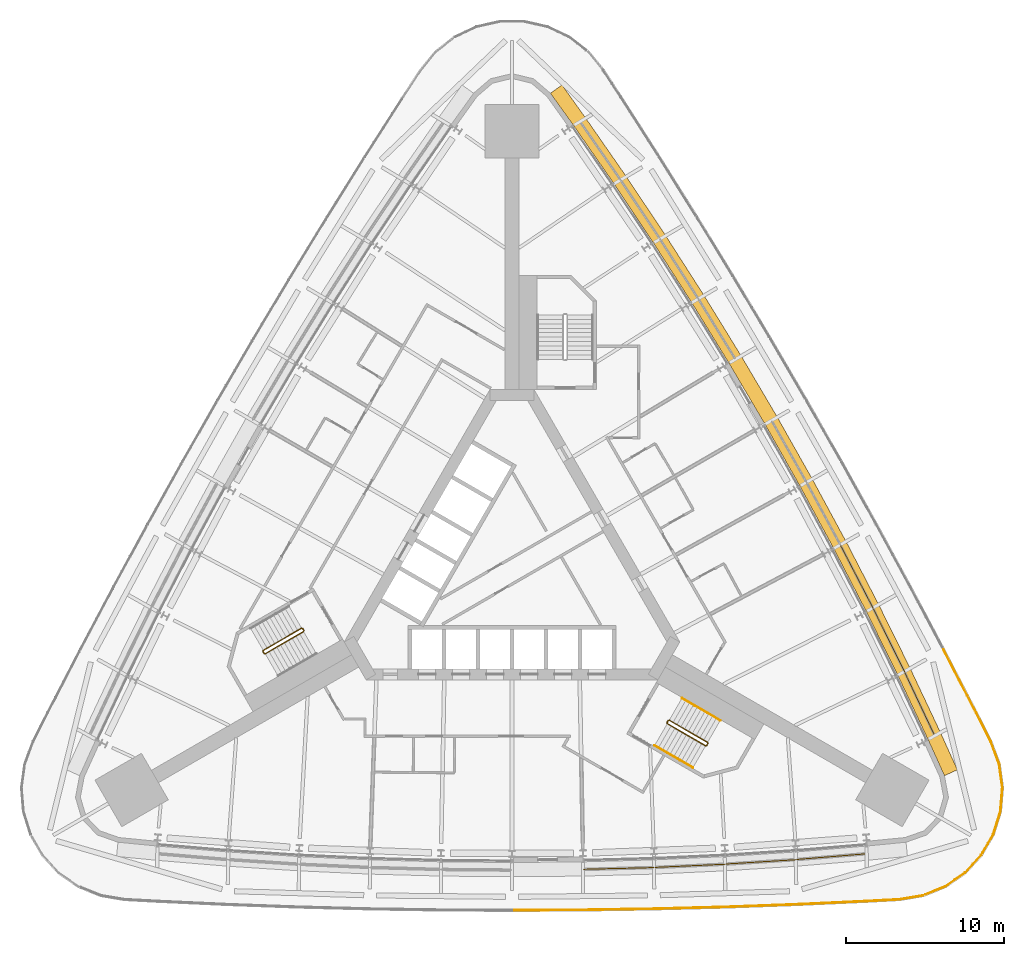
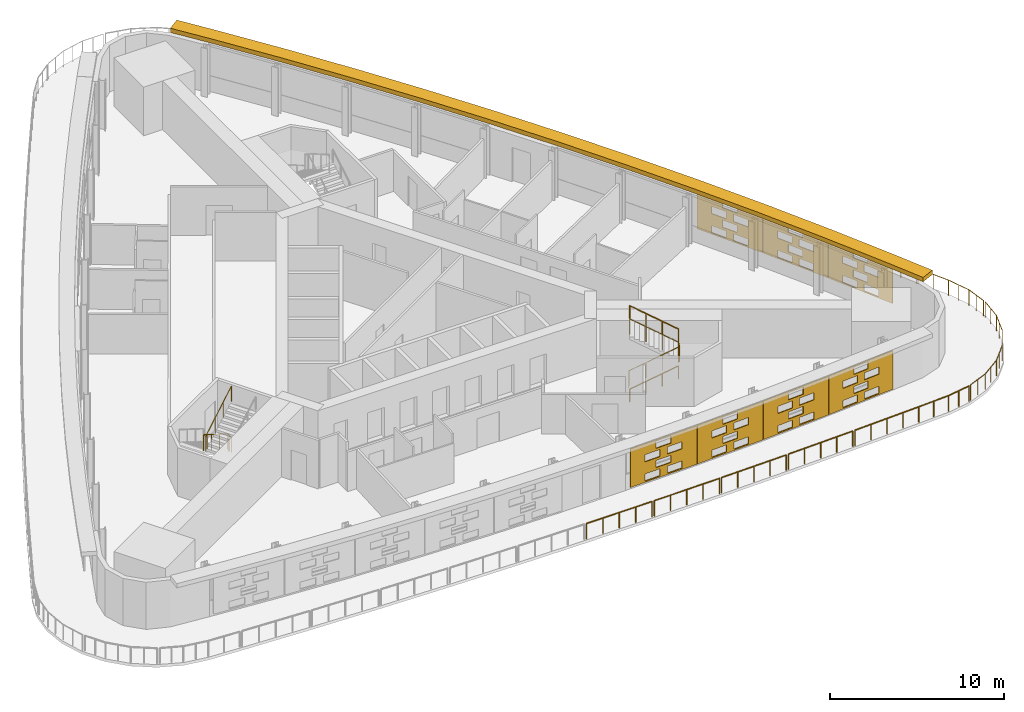
# One storey, part 12 of 14: 13 railings, 8 shading devices.
"""IFC4 building model written with IfcOpenShell, lengths in metres."""

from ifc_helpers import new_model, si_unit, direction, frame, origin, origin_2d, place, context, subcontext, project, spatial, polyline, circle, outline, extrude, material, material_profile, profile_set, type_object, element, save


model = new_model("IFC4")

# Units and contexts
model_context = context("Model", 3, precision=1e-05, world=origin(), true_north=direction((0.0, 1.0)))
body_context = subcontext(model_context, "Body", "Model", "MODEL_VIEW")
ifc_project = project(units=[si_unit("LENGTHUNIT", "METRE"), si_unit("AREAUNIT", "SQUARE_METRE"), si_unit("VOLUMEUNIT", "CUBIC_METRE"), si_unit("PLANEANGLEUNIT", "RADIAN"), si_unit("MASSUNIT", "GRAM", prefix="KILO")], contexts=[model_context])

# Site, building, storey
site_placement = place(None, origin())
site = spatial("IfcSite", under=ifc_project, at=site_placement, CompositionType="ELEMENT")
building_placement = place(site_placement, origin())
building = spatial("IfcBuilding", under=site, at=building_placement, Name="Noor Cloister Tower", CompositionType="ELEMENT")
storey_placement = place(building_placement, frame((0.0, 0.0, 24.0)))
storey = spatial("IfcBuildingStorey", under=building, at=storey_placement, Name="L05", CompositionType="ELEMENT", Elevation=24.0)

# Shading devices
ifc_material_1 = material(Name="Limestone", Category="masonry")
ifc_material_profile = material_profile(ifc_material_1, outline(polyline([(-2.22998046875, -1.35009765625), (2.22998046875, -1.35009765625), (2.22998046875, 1.35009765625), (-2.22998046875, 1.35009765625), (-2.22998046875, -1.35009765625)]), holes=[polyline([(-1.25, -1.263427734375), (-0.25, -1.263427734375), (-0.25, -0.76171875), (-1.25, -0.76171875), (-1.25, -1.263427734375)]), polyline([(0.25, -1.263427734375), (1.25, -1.263427734375), (1.25, -0.76171875), (0.25, -0.76171875), (0.25, -1.263427734375)]), polyline([(-0.5, -0.58837890625), (0.5, -0.58837890625), (0.5, -0.086669921875), (-0.5, -0.086669921875), (-0.5, -0.58837890625)]), polyline([(-1.25, 0.086669921875), (-0.25, 0.086669921875), (-0.25, 0.58837890625), (-1.25, 0.58837890625), (-1.25, 0.086669921875)]), polyline([(0.25, 0.086669921875), (1.25, 0.086669921875), (1.25, 0.58837890625), (0.25, 0.58837890625), (0.25, 0.086669921875)]), polyline([(-0.5, 0.76171875), (0.5, 0.76171875), (0.5, 1.263427734375), (-0.5, 1.263427734375), (-0.5, 0.76171875)])]), Name="Woven screen 25 percent open")
ifc_profile_set = profile_set([ifc_material_profile], Name="Limestone")
shading_device_type_1 = type_object("IfcShadingDeviceType", Name="SCREEN woven limestone 25 percent open", PredefinedType="USERDEFINED", material=ifc_profile_set)
for number, where, z_axis, x_axis, name in (
    (1, (6.761474609375, -18.82861328125, 1.85009765625), (0.024382992455, -0.999702690643, 0.0), (0.999702690643, 0.024382992455, 0.0), "SCREEN L05 1"),
    (2, (11.266357421875, -18.661376953125, 1.85009765625), (0.044670810456, -0.999001761106, 0.0), (0.999001761106, 0.044670810456, 0.0), "SCREEN L05 2"),
):
    element("IfcShadingDevice", number, at=place(storey_placement, frame(where, z_axis=z_axis, x_axis=x_axis)), inside=storey, type_object=shading_device_type_1, Name=name, ObjectType="SCREEN", PredefinedType="USERDEFINED", context=body_context, shape_type="SweptSolid", body=[
        extrude(outline(polyline([(-2.22998046875, -1.35009765625), (2.22998046875, -1.35009765625), (2.22998046875, 1.35009765625), (-2.22998046875, 1.35009765625), (-2.22998046875, -1.35009765625)]), holes=[polyline([(-1.25, -1.263427734375), (-0.25, -1.263427734375), (-0.25, -0.76171875), (-1.25, -0.76171875), (-1.25, -1.263427734375)]), polyline([(0.25, -1.263427734375), (1.25, -1.263427734375), (1.25, -0.76171875), (0.25, -0.76171875), (0.25, -1.263427734375)]), polyline([(-0.5, -0.58837890625), (0.5, -0.58837890625), (0.5, -0.086669921875), (-0.5, -0.086669921875), (-0.5, -0.58837890625)]), polyline([(-1.25, 0.086669921875), (-0.25, 0.086669921875), (-0.25, 0.58837890625), (-1.25, 0.58837890625), (-1.25, 0.086669921875)]), polyline([(0.25, 0.086669921875), (1.25, 0.086669921875), (1.25, 0.58837890625), (0.25, 0.58837890625), (0.25, 0.086669921875)]), polyline([(-0.5, 0.76171875), (0.5, 0.76171875), (0.5, 1.263427734375), (-0.5, 1.263427734375), (-0.5, 0.76171875)])]), origin(), (0.0, 0.0, 1.0), 0.06005859375),
    ])
shading_device_1_placement = place(storey_placement, frame((15.767578125, -18.41064453125, 1.85009765625), z_axis=(0.06111006328, -0.998131033565, 0.0), x_axis=(0.998131033565, 0.06111006328, 0.0)))
element("IfcShadingDevice", 3, at=shading_device_1_placement, inside=storey, type_object=shading_device_type_1, Name="SCREEN L05 3", ObjectType="SCREEN", PredefinedType="USERDEFINED", context=body_context, shape_type="SweptSolid", body=[
    extrude(outline(polyline([(-2.22998046875, -1.35009765625), (2.22998046875, -1.35009765625), (2.22998046875, 1.35009765625), (-2.22998046875, 1.35009765625), (-2.22998046875, -1.35009765625)]), holes=[polyline([(-1.25, -1.263427734375), (-0.25, -1.263427734375), (-0.25, -0.76171875), (-1.25, -0.76171875), (-1.25, -1.263427734375)]), polyline([(0.25, -1.263427734375), (1.25, -1.263427734375), (1.25, -0.76171875), (0.25, -0.76171875), (0.25, -1.263427734375)]), polyline([(-0.5, -0.58837890625), (0.5, -0.58837890625), (0.5, -0.086669921875), (-0.5, -0.086669921875), (-0.5, -0.58837890625)]), polyline([(-1.25, 0.086669921875), (-0.25, 0.086669921875), (-0.25, 0.58837890625), (-1.25, 0.58837890625), (-1.25, 0.086669921875)]), polyline([(0.25, 0.086669921875), (1.25, 0.086669921875), (1.25, 0.58837890625), (0.25, 0.58837890625), (0.25, 0.086669921875)]), polyline([(-0.5, 0.76171875), (0.5, 0.76171875), (0.5, 1.263427734375), (-0.5, 1.263427734375), (-0.5, 0.76171875)])]), origin(), (0.0, 0.0, 1.0), 0.059814453125),
])
for number, where, z_axis, x_axis, name in (
    (4, (20.26318359375, -18.076416015625, 1.85009765625), (0.081362009455, -0.996684615823, 0.0), (0.996684615823, 0.081362009455, 0.0), "SCREEN L05 4"),
    (5, (25.7861328125, -8.51025390625, 1.85009765625), (0.90398642908, 0.427561148889, 0.0), (-0.427561148889, 0.90398642908, 0.0), "SCREEN L05 1"),
    (6, (23.827880859375, -4.44970703125, 1.85009765625), (0.896050438544, 0.443952262733, 0.0), (-0.443952262733, 0.896050438544, 0.0), "SCREEN L05 2"),
    (7, (21.79443359375, -0.42626953125, 1.85009765625), (0.887816162103, 0.460198285861, 0.0), (-0.460198285861, 0.887816162103, 0.0), "SCREEN L05 3"),
):
    element("IfcShadingDevice", number, at=place(storey_placement, frame(where, z_axis=z_axis, x_axis=x_axis)), inside=storey, type_object=shading_device_type_1, Name=name, ObjectType="SCREEN", PredefinedType="USERDEFINED", context=body_context, shape_type="SweptSolid", body=[
        extrude(outline(polyline([(-2.22998046875, -1.35009765625), (2.22998046875, -1.35009765625), (2.22998046875, 1.35009765625), (-2.22998046875, 1.35009765625), (-2.22998046875, -1.35009765625)]), holes=[polyline([(-1.25, -1.263427734375), (-0.25, -1.263427734375), (-0.25, -0.76171875), (-1.25, -0.76171875), (-1.25, -1.263427734375)]), polyline([(0.25, -1.263427734375), (1.25, -1.263427734375), (1.25, -0.76171875), (0.25, -0.76171875), (0.25, -1.263427734375)]), polyline([(-0.5, -0.58837890625), (0.5, -0.58837890625), (0.5, -0.086669921875), (-0.5, -0.086669921875), (-0.5, -0.58837890625)]), polyline([(-1.25, 0.086669921875), (-0.25, 0.086669921875), (-0.25, 0.58837890625), (-1.25, 0.58837890625), (-1.25, 0.086669921875)]), polyline([(0.25, 0.086669921875), (1.25, 0.086669921875), (1.25, 0.58837890625), (0.25, 0.58837890625), (0.25, 0.086669921875)]), polyline([(-0.5, 0.76171875), (0.5, 0.76171875), (0.5, 1.263427734375), (-0.5, 1.263427734375), (-0.5, 0.76171875)])]), origin(), (0.0, 0.0, 1.0), 0.06005859375),
    ])
ifc_material_2 = material(Name="Limestone", Category="masonry")
shading_device_type_2 = type_object("IfcShadingDeviceType", Name="SUNSHADE limestone band 900", PredefinedType="USERDEFINED", material=ifc_material_2)
shading_device_2_placement = place(storey_placement, frame((0.0, 0.0, 3.300048828125)))
element("IfcShadingDevice", 8, at=shading_device_2_placement, inside=storey, type_object=shading_device_type_2, Name="SUNSHADE L05 3", ObjectType="SUNSHADE", PredefinedType="USERDEFINED", context=body_context, shape_type="SweptSolid", body=[
    extrude(outline(polyline([(28.178466796875, -12.617919921875), (27.154541015625, -10.35986328125), (25.231201171875, -6.275390625), (23.2314453125, -2.2255859375), (21.156982421875, 1.786376953125), (19.00830078125, 5.75927734375), (16.786376953125, 9.691650390625), (14.491943359375, 13.58203125), (12.12548828125, 17.42919921875), (9.688232421875, 21.231689453125), (7.180908203125, 24.988525390625), (4.605224609375, 28.696533203125), (3.161865234375, 30.712158203125), (2.43017578125, 30.188232421875), (3.869873046875, 28.177734375), (6.43701171875, 24.48193359375), (8.93505859375, 20.739013671875), (11.36328125, 16.950439453125), (13.720947265625, 13.11767578125), (16.0068359375, 9.24169921875), (18.220703125, 5.32373046875), (20.361328125, 1.36572265625), (22.42822265625, -2.631591796875), (24.42041015625, -6.66650390625), (26.337646484375, -10.737548828125), (27.35888671875, -12.989501953125), (28.178466796875, -12.617919921875)])), origin(), (0.0, 0.0, 1.0), 0.300048828125),
])

# Railings
ifc_material_3 = material(Name="Stainless steel", Category="steel")
railing_type_1 = type_object("IfcRailingType", Name="Stair guard 1100", PredefinedType="GUARDRAIL", material=ifc_material_3)
railing_1_placement = place(storey_placement, frame((-13.241455078125, -3.677734375, 0.0)))
element("IfcRailing", 9, at=railing_1_placement, inside=storey, type_object=railing_type_1, Name="Stair guard ST2 L05", PredefinedType="GUARDRAIL", context=body_context, shape_type="SweptSolid", body=[
    extrude(circle(Radius=0.02392578125, at=origin_2d()), frame((0.0, 0.0, 1.076171875), z_axis=(0.499112439033, -0.866537231285, 0.0), x_axis=(0.866537231285, 0.499112439033, 0.0)), (0.0, 0.0, 1.0), 0.150146484375),
    extrude(circle(Radius=0.02392578125, at=origin_2d()), frame((0.074951171875, -0.130126953125, 1.076171875), z_axis=(-0.544565797804, 0.563119998752, 0.621565731736), x_axis=(-0.718850276695, -0.695164929852, 0.0)), (0.0, 0.0, 1.0), 0.26318359375),
    extrude(circle(Radius=0.02392578125, at=origin_2d()), frame((-0.068359375, 0.01806640625, 1.23974609375), z_axis=(-0.747689811644, -0.431660630283, 0.504607813879), x_axis=(0.49998411664, -0.866034573852, 0.0)), (0.0, 0.0, 1.0), 3.2431640625),
    extrude(circle(Radius=0.02392578125, at=origin_2d()), frame((-2.4931640625, -1.3818359375, 2.8759765625), z_axis=(-0.258736085224, -0.965948051503, 0.0), x_axis=(0.965948051503, -0.258736085224, 0.0)), (0.0, 0.0, 1.0), 0.07080078125),
    extrude(circle(Radius=0.02392578125, at=origin_2d()), frame((-2.511474609375, -1.4501953125, 2.8759765625), z_axis=(0.499816412211, -0.866131372301, 0.0), x_axis=(0.866131372301, 0.499816412211, 0.0)), (0.0, 0.0, 1.0), 0.14990234375),
    extrude(circle(Radius=0.02392578125, at=origin_2d()), frame((-2.4365234375, -1.580078125, 2.8759765625), z_axis=(0.383552647116, -0.102737316192, 0.917786691313), x_axis=(0.258736085224, 0.965948051503, 0.0)), (0.0, 0.0, 1.0), 0.17822265625),
    extrude(circle(Radius=0.02392578125, at=origin_2d()), frame((-2.3681640625, -1.598388671875, 3.03955078125), z_axis=(0.747665513933, 0.431721881032, 0.504591415616), x_axis=(-0.500049511043, 0.865996816683, 0.0)), (0.0, 0.0, 1.0), 3.2431640625),
    extrude(circle(Radius=0.02099609375, at=origin_2d()), origin(), (0.0, 0.0, 1.0), 1.052001953125),
    extrude(circle(Radius=0.02099609375, at=origin_2d()), frame((0.074951171875, -0.130126953125, 0.0)), (0.0, 0.0, 1.0), 1.052001953125),
    extrude(circle(Radius=0.02099609375, at=origin_2d()), frame((-0.068359375, 0.01806640625, 0.16357421875)), (0.0, 0.0, 1.0), 1.052001953125),
    extrude(circle(Radius=0.02099609375, at=origin_2d()), frame((-0.876708984375, -0.448486328125, 0.708984375)), (0.0, 0.0, 1.0), 1.052001953125),
    extrude(circle(Radius=0.02099609375, at=origin_2d()), frame((-1.684814453125, -0.915283203125, 1.254638671875)), (0.0, 0.0, 1.0), 1.052001953125),
    extrude(circle(Radius=0.02099609375, at=origin_2d()), frame((-2.4931640625, -1.3818359375, 1.800048828125)), (0.0, 0.0, 1.0), 1.052001953125),
    extrude(circle(Radius=0.02099609375, at=origin_2d()), frame((-2.511474609375, -1.4501953125, 1.800048828125)), (0.0, 0.0, 1.0), 1.052001953125),
    extrude(circle(Radius=0.02099609375, at=origin_2d()), frame((-2.4365234375, -1.580078125, 1.800048828125)), (0.0, 0.0, 1.0), 1.052001953125),
    extrude(circle(Radius=0.02099609375, at=origin_2d()), frame((-2.3681640625, -1.598388671875, 1.963623046875)), (0.0, 0.0, 1.0), 1.052001953125),
    extrude(circle(Radius=0.02099609375, at=origin_2d()), frame((-1.559814453125, -1.131591796875, 2.509033203125)), (0.0, 0.0, 1.0), 1.052001953125),
    extrude(circle(Radius=0.02099609375, at=origin_2d()), frame((-0.751708984375, -0.6650390625, 3.0546875)), (0.0, 0.0, 1.0), 1.052001953125),
    extrude(circle(Radius=0.02099609375, at=origin_2d()), frame((0.056640625, -0.1982421875, 3.60009765625)), (0.0, 0.0, 1.0), 1.052001953125),
])
railing_2_placement = place(storey_placement, frame((9.805908203125, -9.628662109375, 0.0)))
element("IfcRailing", 10, at=railing_2_placement, inside=storey, type_object=railing_type_1, Name="Stair guard ST3 L05", PredefinedType="GUARDRAIL", context=body_context, shape_type="SweptSolid", body=[
    extrude(circle(Radius=0.02392578125, at=origin_2d()), frame((0.0, 0.0, 1.076171875), z_axis=(0.499112439033, 0.866537231285, 0.0), x_axis=(-0.866537231285, 0.499112439033, 0.0)), (0.0, 0.0, 1.0), 0.150146484375),
    extrude(circle(Radius=0.02392578125, at=origin_2d()), frame((0.074951171875, 0.130126953125, 1.076171875), z_axis=(-0.215214839654, -0.753251938789, 0.621525614518), x_axis=(0.961523947641, -0.274721127897, 0.0)), (0.0, 0.0, 1.0), 0.26318359375),
    extrude(circle(Radius=0.02392578125, at=origin_2d()), frame((0.018310546875, -0.068115234375, 1.23974609375), z_axis=(0.747665513933, -0.431721881032, 0.504591415616), x_axis=(0.500049511043, 0.865996816683, 0.0)), (0.0, 0.0, 1.0), 3.2431640625),
    extrude(circle(Radius=0.02392578125, at=origin_2d()), frame((2.443115234375, -1.46826171875, 2.8759765625), z_axis=(0.965948051503, 0.258736085224, 0.0), x_axis=(-0.258736085224, 0.965948051503, 0.0)), (0.0, 0.0, 1.0), 0.07080078125),
    extrude(circle(Radius=0.02392578125, at=origin_2d()), frame((2.511474609375, -1.449951171875, 2.8759765625), z_axis=(0.499816412211, 0.866131372301, 0.0), x_axis=(-0.866131372301, 0.499816412211, 0.0)), (0.0, 0.0, 1.0), 0.14990234375),
    extrude(circle(Radius=0.02392578125, at=origin_2d()), frame((2.58642578125, -1.320068359375, 2.8759765625), z_axis=(-0.102737316192, 0.383552647116, 0.917786691313), x_axis=(-0.965948051503, -0.258736085224, 0.0)), (0.0, 0.0, 1.0), 0.17822265625),
    extrude(circle(Radius=0.02392578125, at=origin_2d()), frame((2.568115234375, -1.251708984375, 3.03955078125), z_axis=(-0.747689811644, 0.431660630283, 0.504607813879), x_axis=(-0.49998411664, -0.866034573852, 0.0)), (0.0, 0.0, 1.0), 3.2431640625),
    extrude(circle(Radius=0.02099609375, at=origin_2d()), origin(), (0.0, 0.0, 1.0), 1.052001953125),
    extrude(circle(Radius=0.02099609375, at=origin_2d()), frame((0.074951171875, 0.130126953125, 0.0)), (0.0, 0.0, 1.0), 1.052001953125),
    extrude(circle(Radius=0.02099609375, at=origin_2d()), frame((0.018310546875, -0.068115234375, 0.16357421875)), (0.0, 0.0, 1.0), 1.052001953125),
    extrude(circle(Radius=0.02099609375, at=origin_2d()), frame((0.82666015625, -0.534912109375, 0.708984375)), (0.0, 0.0, 1.0), 1.052001953125),
    extrude(circle(Radius=0.02099609375, at=origin_2d()), frame((1.634765625, -1.00146484375, 1.254638671875)), (0.0, 0.0, 1.0), 1.052001953125),
    extrude(circle(Radius=0.02099609375, at=origin_2d()), frame((2.443115234375, -1.46826171875, 1.800048828125)), (0.0, 0.0, 1.0), 1.052001953125),
    extrude(circle(Radius=0.02099609375, at=origin_2d()), frame((2.511474609375, -1.449951171875, 1.800048828125)), (0.0, 0.0, 1.0), 1.052001953125),
    extrude(circle(Radius=0.02099609375, at=origin_2d()), frame((2.58642578125, -1.320068359375, 1.800048828125)), (0.0, 0.0, 1.0), 1.052001953125),
    extrude(circle(Radius=0.02099609375, at=origin_2d()), frame((2.568115234375, -1.251708984375, 1.963623046875)), (0.0, 0.0, 1.0), 1.052001953125),
    extrude(circle(Radius=0.02099609375, at=origin_2d()), frame((1.759765625, -0.78515625, 2.509033203125)), (0.0, 0.0, 1.0), 1.052001953125),
    extrude(circle(Radius=0.02099609375, at=origin_2d()), frame((0.95166015625, -0.318359375, 3.0546875)), (0.0, 0.0, 1.0), 1.052001953125),
    extrude(circle(Radius=0.02099609375, at=origin_2d()), frame((0.143310546875, 0.148193359375, 3.60009765625)), (0.0, 0.0, 1.0), 1.052001953125),
])
ifc_material_4 = material(Name="Stainless steel", Category="steel")
railing_type_2 = type_object("IfcRailingType", Name="Stair handrail 900", PredefinedType="HANDRAIL", material=ifc_material_4)
railing_3_placement = place(storey_placement, frame((9.024169921875, -11.08251953125, 0.16357421875)))
element("IfcRailing", 11, at=railing_3_placement, inside=storey, type_object=railing_type_2, Name="Stair handrail ST3 L05 1", PredefinedType="HANDRAIL", context=body_context, shape_type="SweptSolid", body=[
    extrude(circle(Radius=0.02392578125, at=origin_2d()), frame((0.0, 0.0, 0.8759765625), z_axis=(0.747689811644, -0.431660630283, 0.504607813879), x_axis=(0.49998411664, 0.866034573852, 0.0)), (0.0, 0.0, 1.0), 3.2431640625),
    extrude(circle(Radius=0.02099609375, at=origin_2d()), origin(), (0.0, 0.0, 1.0), 0.851806640625),
    extrude(circle(Radius=0.02099609375, at=origin_2d()), frame((0.808349609375, -0.466552734375, 0.54541015625)), (0.0, 0.0, 1.0), 0.851806640625),
    extrude(circle(Radius=0.02099609375, at=origin_2d()), frame((1.616455078125, -0.933349609375, 1.091064453125)), (0.0, 0.0, 1.0), 0.851806640625),
    extrude(circle(Radius=0.02099609375, at=origin_2d()), frame((2.4248046875, -1.39990234375, 1.636474609375)), (0.0, 0.0, 1.0), 0.851806640625),
])
railing_4_placement = place(storey_placement, frame((13.174072265625, -9.49462890625, 1.963623046875)))
element("IfcRailing", 12, at=railing_4_placement, inside=storey, type_object=railing_type_2, Name="Stair handrail ST3 L05 2", PredefinedType="HANDRAIL", context=body_context, shape_type="SweptSolid", body=[
    extrude(circle(Radius=0.02392578125, at=origin_2d()), frame((0.0, 0.0, 0.8759765625), z_axis=(-0.747689811644, 0.431660630283, 0.504607813879), x_axis=(-0.49998411664, -0.866034573852, 0.0)), (0.0, 0.0, 1.0), 3.2431640625),
    extrude(circle(Radius=0.02099609375, at=origin_2d()), origin(), (0.0, 0.0, 1.0), 0.851806640625),
    extrude(circle(Radius=0.02099609375, at=origin_2d()), frame((-0.808349609375, 0.466552734375, 0.54541015625)), (0.0, 0.0, 1.0), 0.851806640625),
    extrude(circle(Radius=0.02099609375, at=origin_2d()), frame((-1.616455078125, 0.933349609375, 1.091064453125)), (0.0, 0.0, 1.0), 0.851806640625),
    extrude(circle(Radius=0.02099609375, at=origin_2d()), frame((-2.4248046875, 1.39990234375, 1.636474609375)), (0.0, 0.0, 1.0), 0.851806640625),
])
ifc_material_5 = material(Name="Stainless steel grade 316", Category="steel")
railing_type_3 = type_object("IfcRailingType", Name="Terrace guard 1100", PredefinedType="GUARDRAIL", material=ifc_material_5)
railing_5_placement = place(storey_placement, frame((27.30126953125, -5.01171875, 0.0)))
element("IfcRailing", 13, at=railing_5_placement, inside=storey, type_object=railing_type_3, Name="Podium terrace guard 10", PredefinedType="GUARDRAIL", context=body_context, shape_type="SweptSolid", body=[
    extrude(circle(Radius=0.02392578125, at=origin_2d()), frame((0.0, 0.0, 1.076171875), z_axis=(0.459432082061, -0.888212903516, 0.0), x_axis=(0.888212903516, 0.459432082061, 0.0)), (0.0, 0.0, 1.0), 4.348876953125),
    extrude(circle(Radius=0.02099609375, at=origin_2d()), origin(), (0.0, 0.0, 1.0), 1.052001953125),
    extrude(circle(Radius=0.02099609375, at=origin_2d()), frame((0.49951171875, -0.9658203125, 0.0)), (0.0, 0.0, 1.0), 1.052001953125),
    extrude(circle(Radius=0.02099609375, at=origin_2d()), frame((0.9990234375, -1.931396484375, 0.0)), (0.0, 0.0, 1.0), 1.052001953125),
    extrude(circle(Radius=0.02099609375, at=origin_2d()), frame((1.49853515625, -2.89697265625, 0.0)), (0.0, 0.0, 1.0), 1.052001953125),
    extrude(circle(Radius=0.02099609375, at=origin_2d()), frame((1.998046875, -3.86279296875, 0.0)), (0.0, 0.0, 1.0), 1.052001953125),
])
railing_6_placement = place(storey_placement, frame((29.368408203125, -9.0078125, 0.0)))
element("IfcRailing", 14, at=railing_6_placement, inside=storey, type_object=railing_type_3, Name="Podium terrace guard 11", PredefinedType="GUARDRAIL", context=body_context, shape_type="SweptSolid", body=[
    extrude(circle(Radius=0.02392578125, at=origin_2d()), frame((0.0, 0.0, 1.076171875), z_axis=(0.452836606965, -0.891593521394, 0.0), x_axis=(0.891593521394, 0.452836606965, 0.0)), (0.0, 0.0, 1.0), 2.02880859375),
    extrude(circle(Radius=0.02392578125, at=origin_2d()), frame((0.918701171875, -1.808837890625, 1.076171875), z_axis=(0.349857408389, -0.936802964233, 0.0), x_axis=(0.936802964233, 0.349857408389, 0.0)), (0.0, 0.0, 1.0), 1.52197265625),
    extrude(circle(Radius=0.02392578125, at=origin_2d()), frame((1.451171875, -3.234619140625, 1.076171875), z_axis=(0.136842931044, -0.990592758011, 0.0), x_axis=(0.990592758011, 0.136842931044, 0.0)), (0.0, 0.0, 1.0), 1.36669921875),
    extrude(circle(Radius=0.02099609375, at=origin_2d()), origin(), (0.0, 0.0, 1.0), 1.052001953125),
    extrude(circle(Radius=0.02099609375, at=origin_2d()), frame((0.45947265625, -0.904296875, 0.0)), (0.0, 0.0, 1.0), 1.052001953125),
    extrude(circle(Radius=0.02099609375, at=origin_2d()), frame((0.918701171875, -1.808837890625, 0.0)), (0.0, 0.0, 1.0), 1.052001953125),
    extrude(circle(Radius=0.02099609375, at=origin_2d()), frame((1.18505859375, -2.521728515625, 0.0)), (0.0, 0.0, 1.0), 1.052001953125),
    extrude(circle(Radius=0.02099609375, at=origin_2d()), frame((1.451171875, -3.234619140625, 0.0)), (0.0, 0.0, 1.0), 1.052001953125),
    extrude(circle(Radius=0.02099609375, at=origin_2d()), frame((1.544677734375, -3.91162109375, 0.0)), (0.0, 0.0, 1.0), 1.052001953125),
    extrude(circle(Radius=0.02099609375, at=origin_2d()), frame((1.63818359375, -4.58837890625, 0.0)), (0.0, 0.0, 1.0), 1.052001953125),
])
railing_7_placement = place(storey_placement, frame((31.027099609375, -13.744873046875, 0.0)))
element("IfcRailing", 15, at=railing_7_placement, inside=storey, type_object=railing_type_3, Name="Podium terrace guard 12", PredefinedType="GUARDRAIL", context=body_context, shape_type="SweptSolid", body=[
    extrude(circle(Radius=0.02392578125, at=origin_2d()), frame((0.0, 0.0, 1.076171875), z_axis=(-0.083072126858, -0.996543537302, 0.0), x_axis=(0.996543537302, -0.083072126858, 0.0)), (0.0, 0.0, 1.0), 1.516357421875),
    extrude(circle(Radius=0.02392578125, at=origin_2d()), frame((-0.1259765625, -1.51123046875, 1.076171875), z_axis=(-0.298595766746, -0.95437967711, 0.0), x_axis=(0.95437967711, -0.298595766746, 0.0)), (0.0, 0.0, 1.0), 1.5166015625),
    extrude(circle(Radius=0.02392578125, at=origin_2d()), frame((-0.578857421875, -2.958740234375, 1.076171875), z_axis=(-0.500000789788, -0.8660249478, 0.0), x_axis=(0.8660249478, -0.500000789788, 0.0)), (0.0, 0.0, 1.0), 1.36669921875),
    extrude(circle(Radius=0.02099609375, at=origin_2d()), origin(), (0.0, 0.0, 1.0), 1.052001953125),
    extrude(circle(Radius=0.02099609375, at=origin_2d()), frame((-0.06298828125, -0.755615234375, 0.0)), (0.0, 0.0, 1.0), 1.052001953125),
    extrude(circle(Radius=0.02099609375, at=origin_2d()), frame((-0.1259765625, -1.51123046875, 0.0)), (0.0, 0.0, 1.0), 1.052001953125),
    extrude(circle(Radius=0.02099609375, at=origin_2d()), frame((-0.3525390625, -2.23486328125, 0.0)), (0.0, 0.0, 1.0), 1.052001953125),
    extrude(circle(Radius=0.02099609375, at=origin_2d()), frame((-0.578857421875, -2.958740234375, 0.0)), (0.0, 0.0, 1.0), 1.052001953125),
    extrude(circle(Radius=0.02099609375, at=origin_2d()), frame((-0.92041015625, -3.550537109375, 0.0)), (0.0, 0.0, 1.0), 1.052001953125),
    extrude(circle(Radius=0.02099609375, at=origin_2d()), frame((-1.26220703125, -4.142333984375, 0.0)), (0.0, 0.0, 1.0), 1.052001953125),
])
railing_8_placement = place(storey_placement, frame((29.68994140625, -18.01708984375, 0.0)))
element("IfcRailing", 16, at=railing_8_placement, inside=storey, type_object=railing_type_3, Name="Podium terrace guard 13", PredefinedType="GUARDRAIL", context=body_context, shape_type="SweptSolid", body=[
    extrude(circle(Radius=0.02392578125, at=origin_2d()), frame((0.0, 0.0, 1.076171875), z_axis=(-0.677202981058, -0.735796250634, 0.0), x_axis=(0.735796250634, -0.677202981058, 0.0)), (0.0, 0.0, 1.0), 1.5166015625),
    extrude(circle(Radius=0.02392578125, at=origin_2d()), frame((-1.027099609375, -1.115966796875, 1.076171875), z_axis=(-0.82155426334, -0.5701303293, 0.0), x_axis=(0.5701303293, -0.82155426334, 0.0)), (0.0, 0.0, 1.0), 1.516845703125),
    extrude(circle(Radius=0.02392578125, at=origin_2d()), frame((-2.273193359375, -1.980712890625, 1.076171875), z_axis=(-0.926242553137, -0.376928020659, 0.0), x_axis=(0.376928020659, -0.926242553137, 0.0)), (0.0, 0.0, 1.0), 1.36669921875),
    extrude(circle(Radius=0.02099609375, at=origin_2d()), origin(), (0.0, 0.0, 1.0), 1.052001953125),
    extrude(circle(Radius=0.02099609375, at=origin_2d()), frame((-0.513671875, -0.55810546875, 0.0)), (0.0, 0.0, 1.0), 1.052001953125),
    extrude(circle(Radius=0.02099609375, at=origin_2d()), frame((-1.027099609375, -1.115966796875, 0.0)), (0.0, 0.0, 1.0), 1.052001953125),
    extrude(circle(Radius=0.02099609375, at=origin_2d()), frame((-1.650146484375, -1.54833984375, 0.0)), (0.0, 0.0, 1.0), 1.052001953125),
    extrude(circle(Radius=0.02099609375, at=origin_2d()), frame((-2.273193359375, -1.980712890625, 0.0)), (0.0, 0.0, 1.0), 1.052001953125),
    extrude(circle(Radius=0.02099609375, at=origin_2d()), frame((-2.90625, -2.23828125, 0.0)), (0.0, 0.0, 1.0), 1.052001953125),
    extrude(circle(Radius=0.02099609375, at=origin_2d()), frame((-3.5390625, -2.495849609375, 0.0)), (0.0, 0.0, 1.0), 1.052001953125),
])
railing_9_placement = place(storey_placement, frame((26.011962890625, -20.5693359375, 0.0)))
element("IfcRailing", 17, at=railing_9_placement, inside=storey, type_object=railing_type_3, Name="Podium terrace guard 14", PredefinedType="GUARDRAIL", context=body_context, shape_type="SweptSolid", body=[
    extrude(circle(Radius=0.02392578125, at=origin_2d()), frame((0.0, 0.0, 1.076171875), z_axis=(-0.986228678444, -0.16538740525, 0.0), x_axis=(0.16538740525, -0.986228678444, 0.0)), (0.0, 0.0, 1.0), 1.52197265625),
    extrude(circle(Radius=0.02392578125, at=origin_2d()), frame((-1.5009765625, -0.251708984375, 1.076171875), z_axis=(-0.998558704103, -0.053670424443, 0.0), x_axis=(0.053670424443, -0.998558704103, 0.0)), (0.0, 0.0, 1.0), 2.02880859375),
    extrude(circle(Radius=0.02392578125, at=origin_2d()), frame((-3.52685546875, -0.360595703125, 1.076171875), z_axis=(-0.998932230118, -0.046199563101, 0.0), x_axis=(0.046199563101, -0.998932230118, 0.0)), (0.0, 0.0, 1.0), 4.34912109375),
    extrude(circle(Radius=0.02099609375, at=origin_2d()), origin(), (0.0, 0.0, 1.0), 1.052001953125),
    extrude(circle(Radius=0.02099609375, at=origin_2d()), frame((-0.75048828125, -0.1259765625, 0.0)), (0.0, 0.0, 1.0), 1.052001953125),
    extrude(circle(Radius=0.02099609375, at=origin_2d()), frame((-1.5009765625, -0.251708984375, 0.0)), (0.0, 0.0, 1.0), 1.052001953125),
    extrude(circle(Radius=0.02099609375, at=origin_2d()), frame((-2.513916015625, -0.30615234375, 0.0)), (0.0, 0.0, 1.0), 1.052001953125),
    extrude(circle(Radius=0.02099609375, at=origin_2d()), frame((-3.52685546875, -0.360595703125, 0.0)), (0.0, 0.0, 1.0), 1.052001953125),
    extrude(circle(Radius=0.02099609375, at=origin_2d()), frame((-4.613037109375, -0.410888671875, 0.0)), (0.0, 0.0, 1.0), 1.052001953125),
    extrude(circle(Radius=0.02099609375, at=origin_2d()), frame((-5.69921875, -0.4609375, 0.0)), (0.0, 0.0, 1.0), 1.052001953125),
    extrude(circle(Radius=0.02099609375, at=origin_2d()), frame((-6.78515625, -0.51123046875, 0.0)), (0.0, 0.0, 1.0), 1.052001953125),
    extrude(circle(Radius=0.02099609375, at=origin_2d()), frame((-7.871337890625, -0.5615234375, 0.0)), (0.0, 0.0, 1.0), 1.052001953125),
])
railing_10_placement = place(storey_placement, frame((17.99072265625, -21.1376953125, 0.0)))
element("IfcRailing", 18, at=railing_10_placement, inside=storey, type_object=railing_type_3, Name="Podium terrace guard 15", PredefinedType="GUARDRAIL", context=body_context, shape_type="SweptSolid", body=[
    extrude(circle(Radius=0.02392578125, at=origin_2d()), frame((0.0, 0.0, 1.076171875), z_axis=(-0.99935431549, -0.035929822028, 0.0), x_axis=(0.035929822028, -0.99935431549, 0.0)), (0.0, 0.0, 1.0), 4.348876953125),
    extrude(circle(Radius=0.02099609375, at=origin_2d()), origin(), (0.0, 0.0, 1.0), 1.052001953125),
    extrude(circle(Radius=0.02099609375, at=origin_2d()), frame((-1.08642578125, -0.0390625, 0.0)), (0.0, 0.0, 1.0), 1.052001953125),
    extrude(circle(Radius=0.02099609375, at=origin_2d()), frame((-2.1728515625, -0.078125, 0.0)), (0.0, 0.0, 1.0), 1.052001953125),
    extrude(circle(Radius=0.02099609375, at=origin_2d()), frame((-3.259521484375, -0.1171875, 0.0)), (0.0, 0.0, 1.0), 1.052001953125),
    extrude(circle(Radius=0.02099609375, at=origin_2d()), frame((-4.345947265625, -0.15625, 0.0)), (0.0, 0.0, 1.0), 1.052001953125),
])
railing_11_placement = place(storey_placement, frame((13.494873046875, -21.29931640625, 0.0)))
element("IfcRailing", 19, at=railing_11_placement, inside=storey, type_object=railing_type_3, Name="Podium terrace guard 16", PredefinedType="GUARDRAIL", context=body_context, shape_type="SweptSolid", body=[
    extrude(circle(Radius=0.02392578125, at=origin_2d()), frame((0.0, 0.0, 1.076171875), z_axis=(-0.99967087743, -0.025654177391, 0.0), x_axis=(0.025654177391, -0.99967087743, 0.0)), (0.0, 0.0, 1.0), 4.34912109375),
    extrude(circle(Radius=0.02099609375, at=origin_2d()), origin(), (0.0, 0.0, 1.0), 1.052001953125),
    extrude(circle(Radius=0.02099609375, at=origin_2d()), frame((-1.0869140625, -0.02783203125, 0.0)), (0.0, 0.0, 1.0), 1.052001953125),
    extrude(circle(Radius=0.02099609375, at=origin_2d()), frame((-2.173828125, -0.0556640625, 0.0)), (0.0, 0.0, 1.0), 1.052001953125),
    extrude(circle(Radius=0.02099609375, at=origin_2d()), frame((-3.2607421875, -0.083740234375, 0.0)), (0.0, 0.0, 1.0), 1.052001953125),
    extrude(circle(Radius=0.02099609375, at=origin_2d()), frame((-4.34765625, -0.111572265625, 0.0)), (0.0, 0.0, 1.0), 1.052001953125),
])
railing_12_placement = place(storey_placement, frame((8.997314453125, -21.414794921875, 0.0)))
element("IfcRailing", 20, at=railing_12_placement, inside=storey, type_object=railing_type_3, Name="Podium terrace guard 17", PredefinedType="GUARDRAIL", context=body_context, shape_type="SweptSolid", body=[
    extrude(circle(Radius=0.02392578125, at=origin_2d()), frame((0.0, 0.0, 1.076171875), z_axis=(-0.999880826102, -0.01543805666, 0.0), x_axis=(0.01543805666, -0.999880826102, 0.0)), (0.0, 0.0, 1.0), 4.348876953125),
    extrude(circle(Radius=0.02099609375, at=origin_2d()), origin(), (0.0, 0.0, 1.0), 1.052001953125),
    extrude(circle(Radius=0.02099609375, at=origin_2d()), frame((-1.087158203125, -0.016845703125, 0.0)), (0.0, 0.0, 1.0), 1.052001953125),
    extrude(circle(Radius=0.02099609375, at=origin_2d()), frame((-2.17431640625, -0.03369140625, 0.0)), (0.0, 0.0, 1.0), 1.052001953125),
    extrude(circle(Radius=0.02099609375, at=origin_2d()), frame((-3.26123046875, -0.05029296875, 0.0)), (0.0, 0.0, 1.0), 1.052001953125),
    extrude(circle(Radius=0.02099609375, at=origin_2d()), frame((-4.348388671875, -0.067138671875, 0.0)), (0.0, 0.0, 1.0), 1.052001953125),
])
railing_13_placement = place(storey_placement, frame((4.498779296875, -21.484130859375, 0.0)))
element("IfcRailing", 21, at=railing_13_placement, inside=storey, type_object=railing_type_3, Name="Podium terrace guard 18", PredefinedType="GUARDRAIL", context=body_context, shape_type="SweptSolid", body=[
    extrude(circle(Radius=0.02392578125, at=origin_2d()), frame((0.0, 0.0, 1.076171875), z_axis=(-0.999986662856, -0.005164698422, 0.0), x_axis=(0.005164698422, -0.999986662856, 0.0)), (0.0, 0.0, 1.0), 4.348876953125),
    extrude(circle(Radius=0.02099609375, at=origin_2d()), origin(), (0.0, 0.0, 1.0), 1.052001953125),
    extrude(circle(Radius=0.02099609375, at=origin_2d()), frame((-1.087158203125, -0.005615234375, 0.0)), (0.0, 0.0, 1.0), 1.052001953125),
    extrude(circle(Radius=0.02099609375, at=origin_2d()), frame((-2.17431640625, -0.01123046875, 0.0)), (0.0, 0.0, 1.0), 1.052001953125),
    extrude(circle(Radius=0.02099609375, at=origin_2d()), frame((-3.26171875, -0.016845703125, 0.0)), (0.0, 0.0, 1.0), 1.052001953125),
    extrude(circle(Radius=0.02099609375, at=origin_2d()), frame((-4.348876953125, -0.0224609375, 0.0)), (0.0, 0.0, 1.0), 1.052001953125),
])

save(model, "model.ifc")
